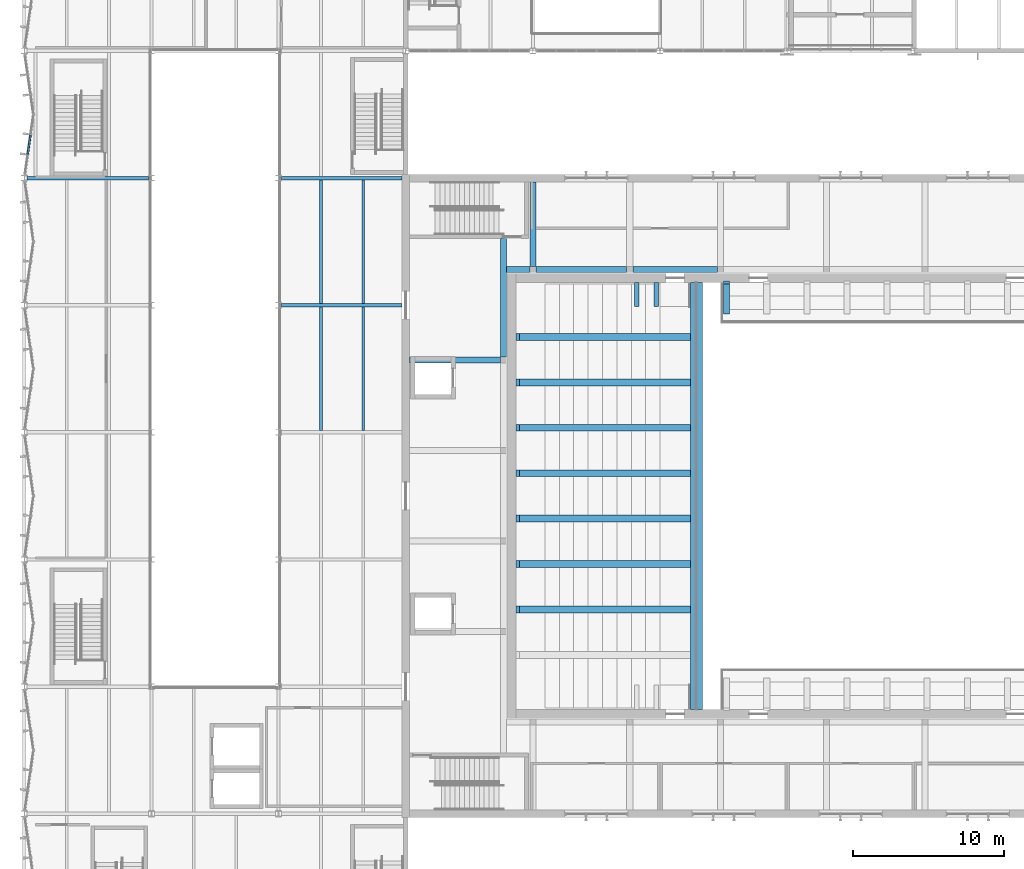
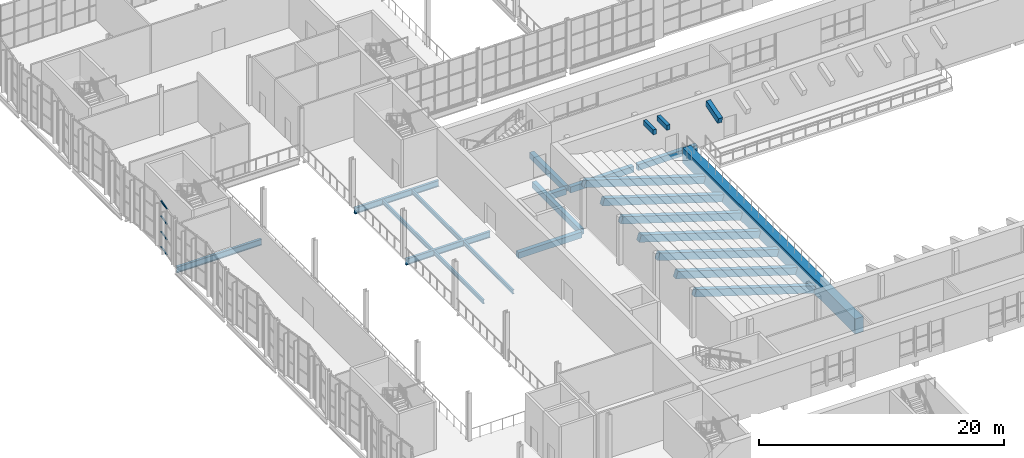
# One storey, part 33 of 127: 24 beams, 4 members, 1 element without a shape of its own.
"""IFC4 building model written with IfcOpenShell, lengths in metres."""

from ifc_helpers import new_model, si_unit, direction, frame, origin, origin_2d, place, context, subcontext, project, spatial, rectangle, i_section, extrude, material, material_profile, profile_set, type_object, element, aggregate, save


model = new_model("IFC4")

# Units and contexts
model_context = context("Model", 3, precision=1e-05, world=origin(), true_north=direction((0.0, 1.0)))
body_context = subcontext(model_context, "Body", "Model", "MODEL_VIEW")
ifc_project = project(units=[si_unit("LENGTHUNIT", "METRE"), si_unit("AREAUNIT", "SQUARE_METRE"), si_unit("VOLUMEUNIT", "CUBIC_METRE"), si_unit("PLANEANGLEUNIT", "RADIAN"), si_unit("MASSUNIT", "GRAM", prefix="KILO")], contexts=[model_context])

# Site, building, storey
site_placement = place(None, origin())
site = spatial("IfcSite", under=ifc_project, at=site_placement, CompositionType="ELEMENT")
building_placement = place(site_placement, origin())
building = spatial("IfcBuilding", under=site, at=building_placement, Name="Ljudholm Concert House", CompositionType="ELEMENT")
storey_placement = place(building_placement, frame((0.0, 0.0, 5.39990234375)))
storey = spatial("IfcBuildingStorey", under=building, at=storey_placement, Name="L01", CompositionType="ELEMENT", Elevation=5.39990234375)

# Beams
ifc_material_1 = material(Name="Concrete 6,500 psi", Category="concrete")
ifc_material_profile_1 = material_profile(ifc_material_1, rectangle(XDim=0.300048828125, YDim=0.5, at=origin_2d()), Name="RC BEAM 300x500 BEAM")
ifc_profile_set_1 = profile_set([ifc_material_profile_1], Name="Concrete 6,500 psi")
beam_type_1 = type_object("IfcBeamType", Name="RC BEAM 300x500 BEAM", PredefinedType="BEAM", material=ifc_profile_set_1)
for number, where, z_axis, x_axis, name in (
    (1, (44.449951171875, 87.89990234375, 4.300048828125), (0.0, 1.0, 0.0), (-1.0, 0.0, 0.0), "Landing bracket beam"),
    (2, (45.75, 87.89990234375, 4.300048828125), (0.0, 1.0, 0.0), (-1.0, 0.0, 0.0), "Landing bracket beam"),
):
    element("IfcBeam", number, at=place(storey_placement, frame(where, z_axis=z_axis, x_axis=x_axis)), inside=storey, type_object=beam_type_1, Name=name, PredefinedType="BEAM", context=body_context, shape_type="SweptSolid", body=[
        extrude(rectangle(XDim=0.300048828125, YDim=0.5, at=origin_2d()), origin(), (0.0, 0.0, 1.0), 1.60009765625),
    ])
ifc_material_2 = material(Name="Concrete 6,500 psi", Category="concrete")
ifc_material_profile_2 = material_profile(ifc_material_2, rectangle(XDim=0.39990234375, YDim=0.60009765625, at=origin_2d()), Name="RC BEAM 400x600")
ifc_profile_set_2 = profile_set([ifc_material_profile_2], Name="Concrete 6,500 psi")
beam_type_2 = type_object("IfcBeamType", Name="RC BEAM 400x600", PredefinedType="BEAM", material=ifc_profile_set_2)
beam_1_placement = place(storey_placement, frame((37.800048828125, 90.35009765625, -0.5498046875), z_axis=(1.0, 0.0, 0.0), x_axis=(0.0, 1.0, 0.0)))
element("IfcBeam", 3, at=beam_1_placement, inside=storey, type_object=beam_type_2, Name="Ring beam", PredefinedType="BEAM", context=body_context, shape_type="SweptSolid", body=[
    extrude(rectangle(XDim=0.39990234375, YDim=0.60009765625, at=origin_2d()), origin(), (0.0, 0.0, 1.0), 6.0),
])
beam_2_placement = place(storey_placement, frame((44.199951171875, 90.35009765625, -0.5498046875), z_axis=(1.0, 0.0, 0.0), x_axis=(0.0, 1.0, 0.0)))
element("IfcBeam", 4, at=beam_2_placement, inside=storey, type_object=beam_type_2, Name="Ring beam", PredefinedType="BEAM", context=body_context, shape_type="SweptSolid", body=[
    extrude(rectangle(XDim=0.39990234375, YDim=0.60009765625, at=origin_2d()), origin(), (0.0, 0.0, 1.0), 5.60009765625),
])
beam_3_placement = place(storey_placement, frame((37.60009765625, 90.550048828125, -0.5498046875), z_axis=(0.0, 1.0, 0.0), x_axis=(-1.0, 0.0, 0.0)))
element("IfcBeam", 5, at=beam_3_placement, inside=storey, type_object=beam_type_2, Name="Ring cross beam", PredefinedType="BEAM", context=body_context, shape_type="SweptSolid", body=[
    extrude(rectangle(XDim=0.39990234375, YDim=0.60009765625, at=origin_2d()), origin(), (0.0, 0.0, 1.0), 5.599853515625),
])
beam_4_placement = place(storey_placement, frame((35.449951171875, 84.3701171875, -0.5498046875), z_axis=(-1.0, 0.0, 0.0), x_axis=(0.0, -1.0, 0.0)))
element("IfcBeam", 6, at=beam_4_placement, inside=storey, type_object=beam_type_2, Name="Ring cross beam", PredefinedType="BEAM", context=body_context, shape_type="SweptSolid", body=[
    extrude(rectangle(XDim=0.39990234375, YDim=0.60009765625, at=origin_2d()), origin(), (0.0, 0.0, 1.0), 6.0),
])
beam_5_placement = place(storey_placement, frame((35.85009765625, 90.35009765625, -0.5498046875), z_axis=(1.0, 0.0, 0.0), x_axis=(0.0, 1.0, 0.0)))
element("IfcBeam", 7, at=beam_5_placement, inside=storey, type_object=beam_type_2, Name="Ring beam", PredefinedType="BEAM", context=body_context, shape_type="SweptSolid", body=[
    extrude(rectangle(XDim=0.39990234375, YDim=0.60009765625, at=origin_2d()), origin(), (0.0, 0.0, 1.0), 1.5498046875),
])
beam_6_placement = place(storey_placement, frame((35.64990234375, 84.570068359375, -0.5498046875), z_axis=(0.0, 1.0, 0.0), x_axis=(-1.0, 0.0, 0.0)))
element("IfcBeam", 8, at=beam_6_placement, inside=storey, type_object=beam_type_2, Name="Ring beam", PredefinedType="BEAM", context=body_context, shape_type="SweptSolid", body=[
    extrude(rectangle(XDim=0.39990234375, YDim=0.60009765625, at=origin_2d()), origin(), (0.0, 0.0, 1.0), 7.829833984375),
])
ifc_material_3 = material(Name="Concrete 6,500 psi", Category="concrete")
ifc_material_profile_3 = material_profile(ifc_material_3, rectangle(XDim=0.39990234375, YDim=0.60009765625, at=origin_2d()), Name="RC BEAM 400x600 BEAM")
ifc_profile_set_3 = profile_set([ifc_material_profile_3], Name="Concrete 6,500 psi")
beam_type_3 = type_object("IfcBeamType", Name="RC BEAM 400x600 BEAM", PredefinedType="BEAM", material=ifc_profile_set_3)
beam_7_placement = place(storey_placement, frame((50.39990234375, 87.5, 3.60009765625), z_axis=(0.0, 0.957813412269, 0.287390791914), x_axis=(-1.0, 0.0, 0.0)))
element("IfcBeam", 9, at=beam_7_placement, inside=storey, type_object=beam_type_3, Name="Gallery bracket beam", PredefinedType="BEAM", context=body_context, shape_type="SweptSolid", body=[
    extrude(rectangle(XDim=0.39990234375, YDim=0.60009765625, at=origin_2d()), origin(), (0.0, 0.0, 1.0), 2.088134765625),
])
ifc_material_4 = material(Name="Concrete 6,500 psi", Category="concrete")
ifc_material_profile_4 = material_profile(ifc_material_4, rectangle(XDim=0.449951171875, YDim=0.699951171875, at=origin_2d()), Name="RC BEAM 450x700 BEAM")
ifc_profile_set_4 = profile_set([ifc_material_profile_4], Name="Concrete 6,500 psi")
beam_type_4 = type_object("IfcBeamType", Name="RC BEAM 450x700 BEAM", PredefinedType="BEAM", material=ifc_profile_set_4)
for number, where, z_axis, x_axis, name in (
    (10, (36.60498046875, 67.89990234375, 3.201171875), (0.953578925305, 0.0, -0.301143210474), (0.0, 1.0, 0.0), "Raker beam"),
    (11, (36.60498046875, 70.89990234375, 3.201171875), (0.953578925305, 0.0, -0.301143210474), (0.0, 1.0, 0.0), "Raker beam"),
    (12, (36.60498046875, 73.89990234375, 3.201171875), (0.953578925305, 0.0, -0.301143210474), (0.0, 1.0, 0.0), "Raker beam"),
    (13, (36.60498046875, 76.89990234375, 3.201171875), (0.953578925305, 0.0, -0.301143210474), (0.0, 1.0, 0.0), "Raker beam"),
    (14, (36.60498046875, 79.89990234375, 3.201171875), (0.953578925305, 0.0, -0.301143210474), (0.0, 1.0, 0.0), "Raker beam"),
    (15, (36.60498046875, 82.89990234375, 3.201171875), (0.953578925305, 0.0, -0.301143210474), (0.0, 1.0, 0.0), "Raker beam"),
    (16, (36.60498046875, 85.89990234375, 3.201171875), (0.953578925305, 0.0, -0.301143210474), (0.0, 1.0, 0.0), "Raker beam"),
):
    element("IfcBeam", number, at=place(storey_placement, frame(where, z_axis=z_axis, x_axis=x_axis)), inside=storey, type_object=beam_type_4, Name=name, PredefinedType="BEAM", context=body_context, shape_type="SweptSolid", body=[
        extrude(rectangle(XDim=0.449951171875, YDim=0.699951171875, at=origin_2d()), origin(), (0.0, 0.0, 1.0), 11.839599609375),
    ])
ifc_material_5 = material(Name="Concrete 6,500 psi", Category="concrete")
ifc_material_profile_5 = material_profile(ifc_material_5, rectangle(XDim=0.800048828125, YDim=1.5, at=origin_2d()), Name="RC BEAM 800x1500 BEAM")
ifc_profile_set_5 = profile_set([ifc_material_profile_5], Name="Concrete 6,500 psi")
beam_type_5 = type_object("IfcBeamType", Name="RC BEAM 800x1500 BEAM", PredefinedType="BEAM", material=ifc_profile_set_5)
beam_8_placement = place(storey_placement, frame((48.39990234375, 61.300048828125, -0.247314453125), z_axis=(0.0, 1.0, 0.0), x_axis=(-1.0, 0.0, 0.0)))
element("IfcBeam", 17, at=beam_8_placement, inside=storey, type_object=beam_type_5, Name="Balcony front girder", PredefinedType="BEAM", context=body_context, shape_type="SweptSolid", body=[
    extrude(rectangle(XDim=0.800048828125, YDim=1.5, at=origin_2d()), origin(), (0.0, 0.0, 1.0), 28.199951171875),
])
ifc_material_6 = material(Name="Steel ASTM A992", Category="steel")
ifc_material_profile_6 = material_profile(ifc_material_6, i_section(OverallWidth=0.177734375, OverallDepth=0.406494140625, WebThickness=0.0078125, FlangeThickness=0.012939453125, FilletRadius=0.01025390625, at=origin_2d()), Name="W16X40")
ifc_profile_set_6 = profile_set([ifc_material_profile_6], Name="Steel ASTM A992")
beam_type_6 = type_object("IfcBeamType", Name="STEEL BEAM W16X40", PredefinedType="BEAM", material=ifc_profile_set_6)
for number, where, z_axis, x_axis, name in (
    (18, (23.60009765625, 79.714599609375, -0.383056640625), (0.0, 1.0, 0.0), (-1.0, 0.0, 0.0), "Secondary beam"),
    (19, (23.60009765625, 88.114501953125, -0.383056640625), (0.0, 1.0, 0.0), (-1.0, 0.0, 0.0), "Secondary beam"),
    (20, (26.39990234375, 79.714599609375, -0.383056640625), (0.0, 1.0, 0.0), (-1.0, 0.0, 0.0), "Secondary beam"),
    (21, (26.39990234375, 88.114501953125, -0.383056640625), (0.0, 1.0, 0.0), (-1.0, 0.0, 0.0), "Secondary beam"),
):
    element("IfcBeam", number, at=place(storey_placement, frame(where, z_axis=z_axis, x_axis=x_axis)), inside=storey, type_object=beam_type_6, Name=name, PredefinedType="BEAM", context=body_context, shape_type="SweptSolid", body=[
        extrude(i_section(OverallWidth=0.177734375, OverallDepth=0.406494140625, WebThickness=0.0078125, FlangeThickness=0.012939453125, FilletRadius=0.01025390625, at=origin_2d()), origin(), (0.0, 0.0, 1.0), 8.1708984375),
    ])
ifc_material_7 = material(Name="Steel ASTM A992", Category="steel")
ifc_material_profile_7 = material_profile(ifc_material_7, i_section(OverallWidth=0.22900390625, OverallDepth=0.612060546875, WebThickness=0.011962890625, FlangeThickness=0.01953125, FilletRadius=0.0126953125, at=origin_2d()), Name="W24X84")
ifc_profile_set_7 = profile_set([ifc_material_profile_7], Name="Steel ASTM A992")
beam_type_7 = type_object("IfcBeamType", Name="STEEL BEAM W24X84", PredefinedType="BEAM", material=ifc_profile_set_7)
beam_9_placement = place(storey_placement, frame((20.986572265625, 88.0, -0.486083984375), z_axis=(1.0, 0.0, 0.0), x_axis=(0.0, 1.0, 0.0)))
element("IfcBeam", 22, at=beam_9_placement, inside=storey, type_object=beam_type_7, Name="Floor girder", PredefinedType="BEAM", context=body_context, shape_type="SweptSolid", body=[
    extrude(i_section(OverallWidth=0.22900390625, OverallDepth=0.612060546875, WebThickness=0.011962890625, FlangeThickness=0.01953125, FilletRadius=0.0126953125, at=origin_2d()), origin(), (0.0, 0.0, 1.0), 7.96337890625),
])
beam_10_placement = place(storey_placement, frame((4.186767578125, 96.39990234375, -0.486083984375), z_axis=(1.0, 0.0, 0.0), x_axis=(0.0, 1.0, 0.0)))
element("IfcBeam", 23, at=beam_10_placement, inside=storey, type_object=beam_type_7, Name="Floor girder", PredefinedType="BEAM", context=body_context, shape_type="SweptSolid", body=[
    extrude(i_section(OverallWidth=0.22900390625, OverallDepth=0.612060546875, WebThickness=0.011962890625, FlangeThickness=0.01953125, FilletRadius=0.0126953125, at=origin_2d()), origin(), (0.0, 0.0, 1.0), 8.026611328125),
])
beam_11_placement = place(storey_placement, frame((20.986572265625, 96.39990234375, -0.486083984375), z_axis=(1.0, 0.0, 0.0), x_axis=(0.0, 1.0, 0.0)))
element("IfcBeam", 24, at=beam_11_placement, inside=storey, type_object=beam_type_7, Name="Floor girder", PredefinedType="BEAM", context=body_context, shape_type="SweptSolid", body=[
    extrude(i_section(OverallWidth=0.22900390625, OverallDepth=0.612060546875, WebThickness=0.011962890625, FlangeThickness=0.01953125, FilletRadius=0.0126953125, at=origin_2d()), origin(), (0.0, 0.0, 1.0), 7.96337890625),
])

# Curtain wall, members
ifc_material_8 = material(Name="Aluminium curtain wall with impact-rated laminated glass", Category="aluminium")
curtain_wall_type = type_object("IfcCurtainWallType", Name="CURTAIN WALL 1400", PredefinedType="NOTDEFINED", material=ifc_material_8)
curtain_wall_placement = place(storey_placement, origin())
curtain_wall = element("IfcCurtainWall", 25, at=curtain_wall_placement, inside=storey, type_object=curtain_wall_type, Name="Facade curtain wall", PredefinedType="NOTDEFINED")
ifc_material_9 = material(Name="Aluminium extrusion", Category="aluminium")
ifc_material_profile_8 = material_profile(ifc_material_9, rectangle(XDim=0.1201171875, YDim=0.06005859375, at=origin_2d()), Name="TRANSOM 60x120")
ifc_profile_set_8 = profile_set([ifc_material_profile_8], Name="Aluminium extrusion")
member_type = type_object("IfcMemberType", Name="TRANSOM 60x120", PredefinedType="USERDEFINED", material=ifc_profile_set_8)
member_1_placement = place(storey_placement, frame((4.22509765625, 97.974853515625, 0.030029296875), z_axis=(0.141421356237, 0.989949493661, 0.0), x_axis=(-0.989949493661, 0.141421356237, 0.0)))
member_1 = element("IfcMember", 26, at=member_1_placement, type_object=member_type, Name="Transom", ObjectType="TRANSOM", PredefinedType="USERDEFINED", context=body_context, shape_type="SweptSolid", body=[
    extrude(rectangle(XDim=0.1201171875, YDim=0.06005859375, at=origin_2d()), origin(), (0.0, 0.0, 1.0), 1.281005859375),
])
member_2_placement = place(storey_placement, frame((4.22509765625, 97.974853515625, 1.5400390625), z_axis=(0.141421356237, 0.989949493661, 0.0), x_axis=(-0.989949493661, 0.141421356237, 0.0)))
member_2 = element("IfcMember", 27, at=member_2_placement, type_object=member_type, Name="Transom", ObjectType="TRANSOM", PredefinedType="USERDEFINED", context=body_context, shape_type="SweptSolid", body=[
    extrude(rectangle(XDim=0.1201171875, YDim=0.06005859375, at=origin_2d()), origin(), (0.0, 0.0, 1.0), 1.281005859375),
])
member_3_placement = place(storey_placement, frame((4.22509765625, 97.974853515625, 3.080078125), z_axis=(0.141421356237, 0.989949493661, 0.0), x_axis=(-0.989949493661, 0.141421356237, 0.0)))
member_3 = element("IfcMember", 28, at=member_3_placement, type_object=member_type, Name="Transom", ObjectType="TRANSOM", PredefinedType="USERDEFINED", context=body_context, shape_type="SweptSolid", body=[
    extrude(rectangle(XDim=0.1201171875, YDim=0.06005859375, at=origin_2d()), origin(), (0.0, 0.0, 1.0), 1.281005859375),
])
member_4_placement = place(storey_placement, frame((4.22509765625, 97.974853515625, 4.590087890625), z_axis=(0.141421356237, 0.989949493661, 0.0), x_axis=(-0.989949493661, 0.141421356237, 0.0)))
member_4 = element("IfcMember", 29, at=member_4_placement, type_object=member_type, Name="Transom", ObjectType="TRANSOM", PredefinedType="USERDEFINED", context=body_context, shape_type="SweptSolid", body=[
    extrude(rectangle(XDim=0.1201171875, YDim=0.06005859375, at=origin_2d()), origin(), (0.0, 0.0, 1.0), 1.281005859375),
])
aggregate(curtain_wall, [member_1, member_2, member_3, member_4])

save(model, "model.ifc")
